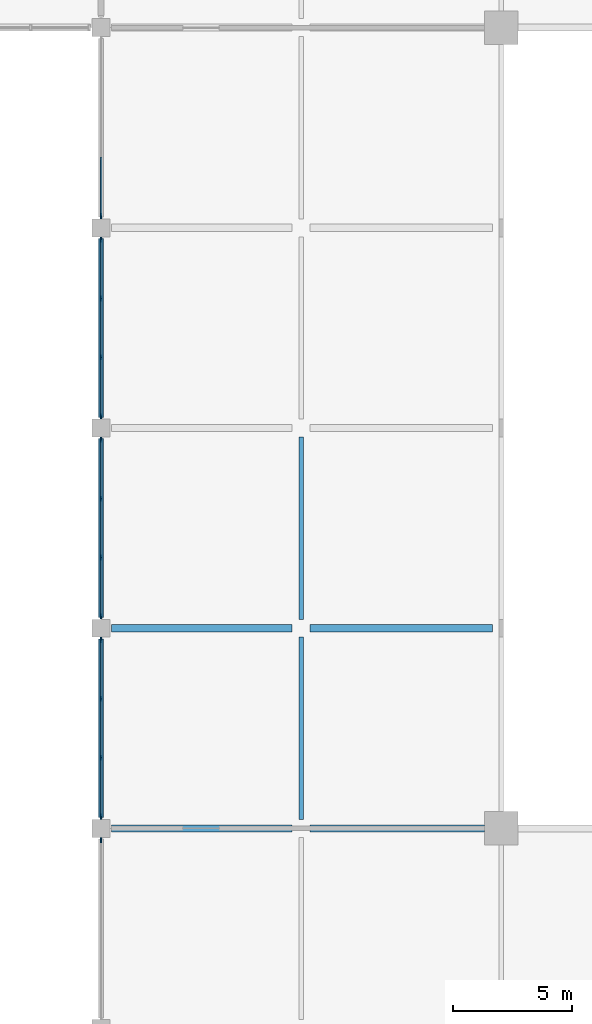
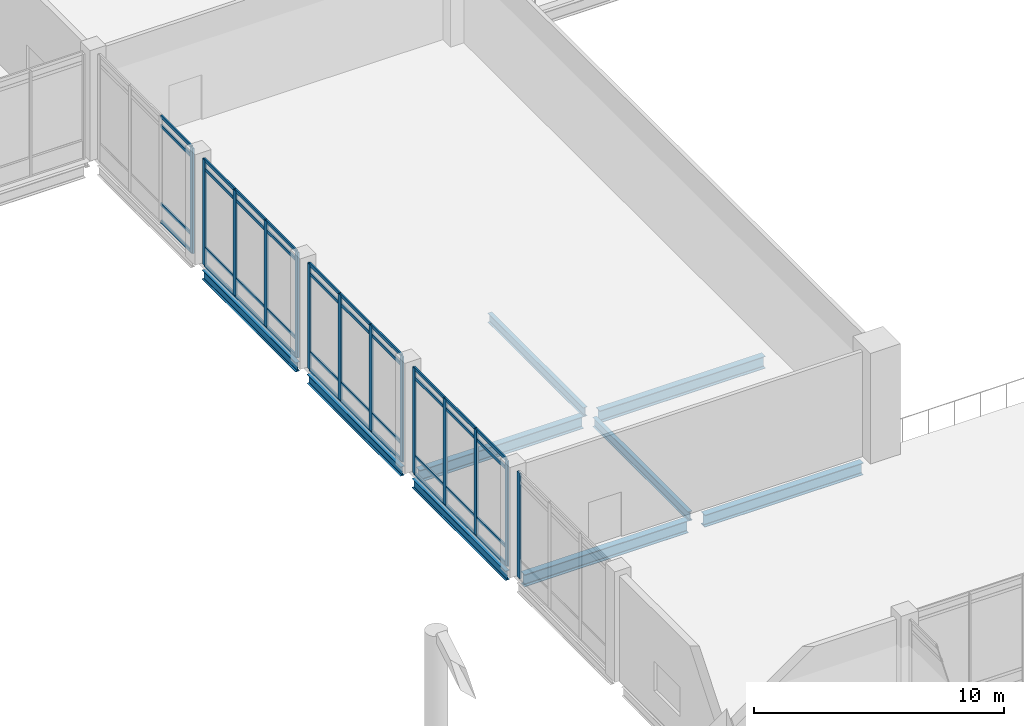
# One storey, part 27 of 72: 54 members, 9 beams, 5 elements without a shape of their own.
"""IFC4 building model written with IfcOpenShell, lengths in metres."""

from ifc_helpers import new_model, si_unit, direction, frame, origin, origin_2d, place, context, subcontext, project, spatial, rectangle, i_section, extrude, material, layer, layer_set, material_profile, profile_set, type_object, element, aggregate, save


model = new_model("IFC4")

# Units and contexts
model_context = context("Model", 3, precision=1e-05, world=origin(), true_north=direction((0.0, 1.0)))
body_context = subcontext(model_context, "Body", "Model", "MODEL_VIEW")
ifc_project = project(units=[si_unit("LENGTHUNIT", "METRE"), si_unit("AREAUNIT", "SQUARE_METRE"), si_unit("VOLUMEUNIT", "CUBIC_METRE"), si_unit("PLANEANGLEUNIT", "RADIAN"), si_unit("MASSUNIT", "GRAM", prefix="KILO")], contexts=[model_context])

# Site, building, storey
site_placement = place(None, origin())
site = spatial("IfcSite", under=ifc_project, at=site_placement, CompositionType="ELEMENT")
building_placement = place(site_placement, origin())
building = spatial("IfcBuilding", under=site, at=building_placement, Name="Qawsi Khor Wholesale Market", CompositionType="ELEMENT")
storey_placement = place(building_placement, frame((0.0, 0.0, 6.0)))
storey = spatial("IfcBuildingStorey", under=building, at=storey_placement, Name="L01", CompositionType="ELEMENT", Elevation=6.0)

# Curtain wall, member
ifc_material_1 = material(Name="Aluminium Anodised Bronze", Category="aluminium")
ifc_layer = layer(ifc_material_1, 0.199951171875, Name="Aluminium Anodised Bronze")
ifc_layer_set = layer_set([ifc_layer], Name="Aluminium Anodised Bronze")
curtain_wall_type = type_object("IfcCurtainWallType", Name="Trading Hall North-Light Curtain Wall CW-03", PredefinedType="NOTDEFINED", material=ifc_layer_set)
curtain_wall_1_placement = place(storey_placement, origin())
curtain_wall_1 = element("IfcCurtainWall", 1, at=curtain_wall_1_placement, inside=storey, type_object=curtain_wall_type, Name="Curtain wall CW-CW-03-L01-076", PredefinedType="NOTDEFINED")
ifc_material_profile_1 = material_profile(ifc_material_1, rectangle(XDim=0.074951171875, YDim=0.219970703125, at=origin_2d()), Name="ALU MULLION 75x220")
ifc_profile_set_1 = profile_set([ifc_material_profile_1], Name="Aluminium Anodised Bronze")
member_type_1 = type_object("IfcMemberType", Name="Curtain Wall Mullion CW-03 ALU MULLION 75x220", PredefinedType="MULLION", material=ifc_profile_set_1)
member_1_placement = place(storey_placement, frame((142.800048828125, 58.302490234375, -0.02001953125), z_axis=(0.0, 0.0, 1.0), x_axis=(1.0, 0.0, 0.0)))
member_1 = element("IfcMember", 2, at=member_1_placement, type_object=member_type_1, Name="Mullion CW-CW-03-L01-076-M03", PredefinedType="MULLION", context=body_context, shape_type="SweptSolid", body=[
    extrude(rectangle(XDim=0.074951171875, YDim=0.219970703125, at=origin_2d()), origin(), (0.0, 0.0, 1.0), 5.14990234375),
])
aggregate(curtain_wall_1, [member_1])

# Curtain wall, members
curtain_wall_2_placement = place(storey_placement, origin())
curtain_wall_2 = element("IfcCurtainWall", 3, at=curtain_wall_2_placement, inside=storey, type_object=curtain_wall_type, Name="Curtain wall CW-CW-03-L01-081", PredefinedType="NOTDEFINED")
member_2_placement = place(storey_placement, frame((142.800048828125, 59.297607421875, -0.02001953125), z_axis=(0.0, 0.0, 1.0), x_axis=(1.0, 0.0, 0.0)))
member_2 = element("IfcMember", 4, at=member_2_placement, type_object=member_type_1, Name="Mullion CW-CW-03-L01-081-M00", PredefinedType="MULLION", context=body_context, shape_type="SweptSolid", body=[
    extrude(rectangle(XDim=0.074951171875, YDim=0.219970703125, at=origin_2d()), origin(), (0.0, 0.0, 1.0), 5.14990234375),
])
member_3_placement = place(storey_placement, frame((142.800048828125, 61.765869140625, -0.02001953125), z_axis=(0.0, 0.0, 1.0), x_axis=(1.0, 0.0, 0.0)))
member_3 = element("IfcMember", 5, at=member_3_placement, type_object=member_type_1, Name="Mullion CW-CW-03-L01-081-M01", PredefinedType="MULLION", context=body_context, shape_type="SweptSolid", body=[
    extrude(rectangle(XDim=0.074951171875, YDim=0.219970703125, at=origin_2d()), origin(), (0.0, 0.0, 1.0), 5.14990234375),
])
member_4_placement = place(storey_placement, frame((142.800048828125, 64.234130859375, -0.02001953125), z_axis=(0.0, 0.0, 1.0), x_axis=(1.0, 0.0, 0.0)))
member_4 = element("IfcMember", 6, at=member_4_placement, type_object=member_type_1, Name="Mullion CW-CW-03-L01-081-M02", PredefinedType="MULLION", context=body_context, shape_type="SweptSolid", body=[
    extrude(rectangle(XDim=0.074951171875, YDim=0.219970703125, at=origin_2d()), origin(), (0.0, 0.0, 1.0), 5.14990234375),
])
member_5_placement = place(storey_placement, frame((142.800048828125, 66.702392578125, -0.02001953125), z_axis=(0.0, 0.0, 1.0), x_axis=(1.0, 0.0, 0.0)))
member_5 = element("IfcMember", 7, at=member_5_placement, type_object=member_type_1, Name="Mullion CW-CW-03-L01-081-M03", PredefinedType="MULLION", context=body_context, shape_type="SweptSolid", body=[
    extrude(rectangle(XDim=0.074951171875, YDim=0.219970703125, at=origin_2d()), origin(), (0.0, 0.0, 1.0), 5.14990234375),
])

curtain_wall_3_placement = place(storey_placement, origin())
curtain_wall_3 = element("IfcCurtainWall", 8, at=curtain_wall_3_placement, inside=storey, type_object=curtain_wall_type, Name="Curtain wall CW-CW-03-L01-086", PredefinedType="NOTDEFINED")
member_6_placement = place(storey_placement, frame((142.800048828125, 67.697509765625, -0.02001953125), z_axis=(0.0, 0.0, 1.0), x_axis=(1.0, 0.0, 0.0)))
member_6 = element("IfcMember", 9, at=member_6_placement, type_object=member_type_1, Name="Mullion CW-CW-03-L01-086-M00", PredefinedType="MULLION", context=body_context, shape_type="SweptSolid", body=[
    extrude(rectangle(XDim=0.074951171875, YDim=0.219970703125, at=origin_2d()), origin(), (0.0, 0.0, 1.0), 5.14990234375),
])
member_7_placement = place(storey_placement, frame((142.800048828125, 70.165771484375, -0.02001953125), z_axis=(0.0, 0.0, 1.0), x_axis=(1.0, 0.0, 0.0)))
member_7 = element("IfcMember", 10, at=member_7_placement, type_object=member_type_1, Name="Mullion CW-CW-03-L01-086-M01", PredefinedType="MULLION", context=body_context, shape_type="SweptSolid", body=[
    extrude(rectangle(XDim=0.074951171875, YDim=0.219970703125, at=origin_2d()), origin(), (0.0, 0.0, 1.0), 5.14990234375),
])
member_8_placement = place(storey_placement, frame((142.800048828125, 72.63427734375, -0.02001953125), z_axis=(0.0, 0.0, 1.0), x_axis=(1.0, 0.0, 0.0)))
member_8 = element("IfcMember", 11, at=member_8_placement, type_object=member_type_1, Name="Mullion CW-CW-03-L01-086-M02", PredefinedType="MULLION", context=body_context, shape_type="SweptSolid", body=[
    extrude(rectangle(XDim=0.074951171875, YDim=0.219970703125, at=origin_2d()), origin(), (0.0, 0.0, 1.0), 5.14990234375),
])
member_9_placement = place(storey_placement, frame((142.800048828125, 75.1025390625, -0.02001953125), z_axis=(0.0, 0.0, 1.0), x_axis=(1.0, 0.0, 0.0)))
member_9 = element("IfcMember", 12, at=member_9_placement, type_object=member_type_1, Name="Mullion CW-CW-03-L01-086-M03", PredefinedType="MULLION", context=body_context, shape_type="SweptSolid", body=[
    extrude(rectangle(XDim=0.074951171875, YDim=0.219970703125, at=origin_2d()), origin(), (0.0, 0.0, 1.0), 5.14990234375),
])

curtain_wall_4_placement = place(storey_placement, origin())
curtain_wall_4 = element("IfcCurtainWall", 13, at=curtain_wall_4_placement, inside=storey, type_object=curtain_wall_type, Name="Curtain wall CW-CW-03-L01-091", PredefinedType="NOTDEFINED")
member_10_placement = place(storey_placement, frame((142.800048828125, 76.097412109375, -0.02001953125), z_axis=(0.0, 0.0, 1.0), x_axis=(1.0, 0.0, 0.0)))
member_10 = element("IfcMember", 14, at=member_10_placement, type_object=member_type_1, Name="Mullion CW-CW-03-L01-091-M00", PredefinedType="MULLION", context=body_context, shape_type="SweptSolid", body=[
    extrude(rectangle(XDim=0.074951171875, YDim=0.219970703125, at=origin_2d()), origin(), (0.0, 0.0, 1.0), 5.14990234375),
])
member_11_placement = place(storey_placement, frame((142.800048828125, 78.56591796875, -0.02001953125), z_axis=(0.0, 0.0, 1.0), x_axis=(1.0, 0.0, 0.0)))
member_11 = element("IfcMember", 15, at=member_11_placement, type_object=member_type_1, Name="Mullion CW-CW-03-L01-091-M01", PredefinedType="MULLION", context=body_context, shape_type="SweptSolid", body=[
    extrude(rectangle(XDim=0.074951171875, YDim=0.219970703125, at=origin_2d()), origin(), (0.0, 0.0, 1.0), 5.14990234375),
])
member_12_placement = place(storey_placement, frame((142.800048828125, 81.0341796875, -0.02001953125), z_axis=(0.0, 0.0, 1.0), x_axis=(1.0, 0.0, 0.0)))
member_12 = element("IfcMember", 16, at=member_12_placement, type_object=member_type_1, Name="Mullion CW-CW-03-L01-091-M02", PredefinedType="MULLION", context=body_context, shape_type="SweptSolid", body=[
    extrude(rectangle(XDim=0.074951171875, YDim=0.219970703125, at=origin_2d()), origin(), (0.0, 0.0, 1.0), 5.14990234375),
])
member_13_placement = place(storey_placement, frame((142.800048828125, 83.50244140625, -0.02001953125), z_axis=(0.0, 0.0, 1.0), x_axis=(1.0, 0.0, 0.0)))
member_13 = element("IfcMember", 17, at=member_13_placement, type_object=member_type_1, Name="Mullion CW-CW-03-L01-091-M03", PredefinedType="MULLION", context=body_context, shape_type="SweptSolid", body=[
    extrude(rectangle(XDim=0.074951171875, YDim=0.219970703125, at=origin_2d()), origin(), (0.0, 0.0, 1.0), 5.14990234375),
])

# Curtain wall, member
curtain_wall_5_placement = place(storey_placement, origin())
curtain_wall_5 = element("IfcCurtainWall", 18, at=curtain_wall_5_placement, inside=storey, type_object=curtain_wall_type, Name="Curtain wall CW-CW-03-L01-096", PredefinedType="NOTDEFINED")
member_14_placement = place(storey_placement, frame((142.800048828125, 84.49755859375, -0.02001953125), z_axis=(0.0, 0.0, 1.0), x_axis=(1.0, 0.0, 0.0)))
member_14 = element("IfcMember", 19, at=member_14_placement, type_object=member_type_1, Name="Mullion CW-CW-03-L01-096-M00", PredefinedType="MULLION", context=body_context, shape_type="SweptSolid", body=[
    extrude(rectangle(XDim=0.074951171875, YDim=0.219970703125, at=origin_2d()), origin(), (0.0, 0.0, 1.0), 5.14990234375),
])

# Member
ifc_material_profile_2 = material_profile(ifc_material_1, rectangle(XDim=0.070068359375, YDim=0.14990234375, at=origin_2d()), Name="ALU TRANSOM 70x150")
ifc_profile_set_2 = profile_set([ifc_material_profile_2], Name="Aluminium Anodised Bronze")
member_type_2 = type_object("IfcMemberType", Name="Curtain Wall Transom CW-03 ALU TRANSOM 70x150", PredefinedType="USERDEFINED", material=ifc_profile_set_2)
member_15_placement = place(storey_placement, frame((142.800048828125, 59.297607421875, 0.0), z_axis=(0.0, 1.0, 0.0), x_axis=(-1.0, 0.0, 0.0)))
member_15 = element("IfcMember", 20, at=member_15_placement, type_object=member_type_2, Name="Transom CW-CW-03-L01-081-T0_00", ObjectType="TRANSOM", PredefinedType="USERDEFINED", context=body_context, shape_type="SweptSolid", body=[
    extrude(rectangle(XDim=0.070068359375, YDim=0.14990234375, at=origin_2d()), origin(), (0.0, 0.0, 1.0), 2.46826171875),
])

member_16_placement = place(storey_placement, frame((142.800048828125, 61.765869140625, 0.0), z_axis=(0.0, 1.0, 0.0), x_axis=(-1.0, 0.0, 0.0)))
member_16 = element("IfcMember", 21, at=member_16_placement, type_object=member_type_2, Name="Transom CW-CW-03-L01-081-T0_01", ObjectType="TRANSOM", PredefinedType="USERDEFINED", context=body_context, shape_type="SweptSolid", body=[
    extrude(rectangle(XDim=0.070068359375, YDim=0.14990234375, at=origin_2d()), origin(), (0.0, 0.0, 1.0), 2.46826171875),
])

member_17_placement = place(storey_placement, frame((142.800048828125, 64.234130859375, 0.0), z_axis=(0.0, 1.0, 0.0), x_axis=(-1.0, 0.0, 0.0)))
member_17 = element("IfcMember", 22, at=member_17_placement, type_object=member_type_2, Name="Transom CW-CW-03-L01-081-T0_02", ObjectType="TRANSOM", PredefinedType="USERDEFINED", context=body_context, shape_type="SweptSolid", body=[
    extrude(rectangle(XDim=0.070068359375, YDim=0.14990234375, at=origin_2d()), origin(), (0.0, 0.0, 1.0), 2.46826171875),
])

member_18_placement = place(storey_placement, frame((142.800048828125, 59.297607421875, 0.85009765625), z_axis=(0.0, 1.0, 0.0), x_axis=(-1.0, 0.0, 0.0)))
member_18 = element("IfcMember", 23, at=member_18_placement, type_object=member_type_2, Name="Transom CW-CW-03-L01-081-T1_00", ObjectType="TRANSOM", PredefinedType="USERDEFINED", context=body_context, shape_type="SweptSolid", body=[
    extrude(rectangle(XDim=0.070068359375, YDim=0.14990234375, at=origin_2d()), origin(), (0.0, 0.0, 1.0), 2.46826171875),
])

member_19_placement = place(storey_placement, frame((142.800048828125, 61.765869140625, 0.85009765625), z_axis=(0.0, 1.0, 0.0), x_axis=(-1.0, 0.0, 0.0)))
member_19 = element("IfcMember", 24, at=member_19_placement, type_object=member_type_2, Name="Transom CW-CW-03-L01-081-T1_01", ObjectType="TRANSOM", PredefinedType="USERDEFINED", context=body_context, shape_type="SweptSolid", body=[
    extrude(rectangle(XDim=0.070068359375, YDim=0.14990234375, at=origin_2d()), origin(), (0.0, 0.0, 1.0), 2.46826171875),
])

member_20_placement = place(storey_placement, frame((142.800048828125, 64.234130859375, 0.85009765625), z_axis=(0.0, 1.0, 0.0), x_axis=(-1.0, 0.0, 0.0)))
member_20 = element("IfcMember", 25, at=member_20_placement, type_object=member_type_2, Name="Transom CW-CW-03-L01-081-T1_02", ObjectType="TRANSOM", PredefinedType="USERDEFINED", context=body_context, shape_type="SweptSolid", body=[
    extrude(rectangle(XDim=0.070068359375, YDim=0.14990234375, at=origin_2d()), origin(), (0.0, 0.0, 1.0), 2.46826171875),
])

member_21_placement = place(storey_placement, frame((142.800048828125, 59.297607421875, 4.679931640625), z_axis=(0.0, 1.0, 0.0), x_axis=(-1.0, 0.0, 0.0)))
member_21 = element("IfcMember", 26, at=member_21_placement, type_object=member_type_2, Name="Transom CW-CW-03-L01-081-T2_00", ObjectType="TRANSOM", PredefinedType="USERDEFINED", context=body_context, shape_type="SweptSolid", body=[
    extrude(rectangle(XDim=0.070068359375, YDim=0.14990234375, at=origin_2d()), origin(), (0.0, 0.0, 1.0), 2.46826171875),
])

member_22_placement = place(storey_placement, frame((142.800048828125, 61.765869140625, 4.679931640625), z_axis=(0.0, 1.0, 0.0), x_axis=(-1.0, 0.0, 0.0)))
member_22 = element("IfcMember", 27, at=member_22_placement, type_object=member_type_2, Name="Transom CW-CW-03-L01-081-T2_01", ObjectType="TRANSOM", PredefinedType="USERDEFINED", context=body_context, shape_type="SweptSolid", body=[
    extrude(rectangle(XDim=0.070068359375, YDim=0.14990234375, at=origin_2d()), origin(), (0.0, 0.0, 1.0), 2.46826171875),
])

member_23_placement = place(storey_placement, frame((142.800048828125, 64.234130859375, 4.679931640625), z_axis=(0.0, 1.0, 0.0), x_axis=(-1.0, 0.0, 0.0)))
member_23 = element("IfcMember", 28, at=member_23_placement, type_object=member_type_2, Name="Transom CW-CW-03-L01-081-T2_02", ObjectType="TRANSOM", PredefinedType="USERDEFINED", context=body_context, shape_type="SweptSolid", body=[
    extrude(rectangle(XDim=0.070068359375, YDim=0.14990234375, at=origin_2d()), origin(), (0.0, 0.0, 1.0), 2.46826171875),
])

member_24_placement = place(storey_placement, frame((142.800048828125, 59.297607421875, 5.1298828125), z_axis=(0.0, 1.0, 0.0), x_axis=(-1.0, 0.0, 0.0)))
member_24 = element("IfcMember", 29, at=member_24_placement, type_object=member_type_2, Name="Transom CW-CW-03-L01-081-T3_00", ObjectType="TRANSOM", PredefinedType="USERDEFINED", context=body_context, shape_type="SweptSolid", body=[
    extrude(rectangle(XDim=0.070068359375, YDim=0.14990234375, at=origin_2d()), origin(), (0.0, 0.0, 1.0), 2.46826171875),
])

member_25_placement = place(storey_placement, frame((142.800048828125, 61.765869140625, 5.1298828125), z_axis=(0.0, 1.0, 0.0), x_axis=(-1.0, 0.0, 0.0)))
member_25 = element("IfcMember", 30, at=member_25_placement, type_object=member_type_2, Name="Transom CW-CW-03-L01-081-T3_01", ObjectType="TRANSOM", PredefinedType="USERDEFINED", context=body_context, shape_type="SweptSolid", body=[
    extrude(rectangle(XDim=0.070068359375, YDim=0.14990234375, at=origin_2d()), origin(), (0.0, 0.0, 1.0), 2.46826171875),
])

member_26_placement = place(storey_placement, frame((142.800048828125, 64.234130859375, 5.1298828125), z_axis=(0.0, 1.0, 0.0), x_axis=(-1.0, 0.0, 0.0)))
member_26 = element("IfcMember", 31, at=member_26_placement, type_object=member_type_2, Name="Transom CW-CW-03-L01-081-T3_02", ObjectType="TRANSOM", PredefinedType="USERDEFINED", context=body_context, shape_type="SweptSolid", body=[
    extrude(rectangle(XDim=0.070068359375, YDim=0.14990234375, at=origin_2d()), origin(), (0.0, 0.0, 1.0), 2.46826171875),
])

aggregate(curtain_wall_2, [member_2, member_3, member_4, member_5, member_15, member_16, member_17, member_18, member_19, member_20, member_21, member_22, member_23, member_24, member_25, member_26])

member_27_placement = place(storey_placement, frame((142.800048828125, 67.697509765625, 0.0), z_axis=(0.0, 1.0, 0.0), x_axis=(-1.0, 0.0, 0.0)))
member_27 = element("IfcMember", 32, at=member_27_placement, type_object=member_type_2, Name="Transom CW-CW-03-L01-086-T0_00", ObjectType="TRANSOM", PredefinedType="USERDEFINED", context=body_context, shape_type="SweptSolid", body=[
    extrude(rectangle(XDim=0.070068359375, YDim=0.14990234375, at=origin_2d()), origin(), (0.0, 0.0, 1.0), 2.46826171875),
])

member_28_placement = place(storey_placement, frame((142.800048828125, 70.165771484375, 0.0), z_axis=(0.0, 1.0, 0.0), x_axis=(-1.0, 0.0, 0.0)))
member_28 = element("IfcMember", 33, at=member_28_placement, type_object=member_type_2, Name="Transom CW-CW-03-L01-086-T0_01", ObjectType="TRANSOM", PredefinedType="USERDEFINED", context=body_context, shape_type="SweptSolid", body=[
    extrude(rectangle(XDim=0.070068359375, YDim=0.14990234375, at=origin_2d()), origin(), (0.0, 0.0, 1.0), 2.468505859375),
])

member_29_placement = place(storey_placement, frame((142.800048828125, 72.63427734375, 0.0), z_axis=(0.0, 1.0, 0.0), x_axis=(-1.0, 0.0, 0.0)))
member_29 = element("IfcMember", 34, at=member_29_placement, type_object=member_type_2, Name="Transom CW-CW-03-L01-086-T0_02", ObjectType="TRANSOM", PredefinedType="USERDEFINED", context=body_context, shape_type="SweptSolid", body=[
    extrude(rectangle(XDim=0.070068359375, YDim=0.14990234375, at=origin_2d()), origin(), (0.0, 0.0, 1.0), 2.46826171875),
])

member_30_placement = place(storey_placement, frame((142.800048828125, 67.697509765625, 0.85009765625), z_axis=(0.0, 1.0, 0.0), x_axis=(-1.0, 0.0, 0.0)))
member_30 = element("IfcMember", 35, at=member_30_placement, type_object=member_type_2, Name="Transom CW-CW-03-L01-086-T1_00", ObjectType="TRANSOM", PredefinedType="USERDEFINED", context=body_context, shape_type="SweptSolid", body=[
    extrude(rectangle(XDim=0.070068359375, YDim=0.14990234375, at=origin_2d()), origin(), (0.0, 0.0, 1.0), 2.46826171875),
])

member_31_placement = place(storey_placement, frame((142.800048828125, 70.165771484375, 0.85009765625), z_axis=(0.0, 1.0, 0.0), x_axis=(-1.0, 0.0, 0.0)))
member_31 = element("IfcMember", 36, at=member_31_placement, type_object=member_type_2, Name="Transom CW-CW-03-L01-086-T1_01", ObjectType="TRANSOM", PredefinedType="USERDEFINED", context=body_context, shape_type="SweptSolid", body=[
    extrude(rectangle(XDim=0.070068359375, YDim=0.14990234375, at=origin_2d()), origin(), (0.0, 0.0, 1.0), 2.468505859375),
])

member_32_placement = place(storey_placement, frame((142.800048828125, 72.63427734375, 0.85009765625), z_axis=(0.0, 1.0, 0.0), x_axis=(-1.0, 0.0, 0.0)))
member_32 = element("IfcMember", 37, at=member_32_placement, type_object=member_type_2, Name="Transom CW-CW-03-L01-086-T1_02", ObjectType="TRANSOM", PredefinedType="USERDEFINED", context=body_context, shape_type="SweptSolid", body=[
    extrude(rectangle(XDim=0.070068359375, YDim=0.14990234375, at=origin_2d()), origin(), (0.0, 0.0, 1.0), 2.46826171875),
])

member_33_placement = place(storey_placement, frame((142.800048828125, 67.697509765625, 4.679931640625), z_axis=(0.0, 1.0, 0.0), x_axis=(-1.0, 0.0, 0.0)))
member_33 = element("IfcMember", 38, at=member_33_placement, type_object=member_type_2, Name="Transom CW-CW-03-L01-086-T2_00", ObjectType="TRANSOM", PredefinedType="USERDEFINED", context=body_context, shape_type="SweptSolid", body=[
    extrude(rectangle(XDim=0.070068359375, YDim=0.14990234375, at=origin_2d()), origin(), (0.0, 0.0, 1.0), 2.46826171875),
])

member_34_placement = place(storey_placement, frame((142.800048828125, 70.165771484375, 4.679931640625), z_axis=(0.0, 1.0, 0.0), x_axis=(-1.0, 0.0, 0.0)))
member_34 = element("IfcMember", 39, at=member_34_placement, type_object=member_type_2, Name="Transom CW-CW-03-L01-086-T2_01", ObjectType="TRANSOM", PredefinedType="USERDEFINED", context=body_context, shape_type="SweptSolid", body=[
    extrude(rectangle(XDim=0.070068359375, YDim=0.14990234375, at=origin_2d()), origin(), (0.0, 0.0, 1.0), 2.468505859375),
])

member_35_placement = place(storey_placement, frame((142.800048828125, 72.63427734375, 4.679931640625), z_axis=(0.0, 1.0, 0.0), x_axis=(-1.0, 0.0, 0.0)))
member_35 = element("IfcMember", 40, at=member_35_placement, type_object=member_type_2, Name="Transom CW-CW-03-L01-086-T2_02", ObjectType="TRANSOM", PredefinedType="USERDEFINED", context=body_context, shape_type="SweptSolid", body=[
    extrude(rectangle(XDim=0.070068359375, YDim=0.14990234375, at=origin_2d()), origin(), (0.0, 0.0, 1.0), 2.46826171875),
])

member_36_placement = place(storey_placement, frame((142.800048828125, 67.697509765625, 5.1298828125), z_axis=(0.0, 1.0, 0.0), x_axis=(-1.0, 0.0, 0.0)))
member_36 = element("IfcMember", 41, at=member_36_placement, type_object=member_type_2, Name="Transom CW-CW-03-L01-086-T3_00", ObjectType="TRANSOM", PredefinedType="USERDEFINED", context=body_context, shape_type="SweptSolid", body=[
    extrude(rectangle(XDim=0.070068359375, YDim=0.14990234375, at=origin_2d()), origin(), (0.0, 0.0, 1.0), 2.46826171875),
])

member_37_placement = place(storey_placement, frame((142.800048828125, 70.165771484375, 5.1298828125), z_axis=(0.0, 1.0, 0.0), x_axis=(-1.0, 0.0, 0.0)))
member_37 = element("IfcMember", 42, at=member_37_placement, type_object=member_type_2, Name="Transom CW-CW-03-L01-086-T3_01", ObjectType="TRANSOM", PredefinedType="USERDEFINED", context=body_context, shape_type="SweptSolid", body=[
    extrude(rectangle(XDim=0.070068359375, YDim=0.14990234375, at=origin_2d()), origin(), (0.0, 0.0, 1.0), 2.468505859375),
])

member_38_placement = place(storey_placement, frame((142.800048828125, 72.63427734375, 5.1298828125), z_axis=(0.0, 1.0, 0.0), x_axis=(-1.0, 0.0, 0.0)))
member_38 = element("IfcMember", 43, at=member_38_placement, type_object=member_type_2, Name="Transom CW-CW-03-L01-086-T3_02", ObjectType="TRANSOM", PredefinedType="USERDEFINED", context=body_context, shape_type="SweptSolid", body=[
    extrude(rectangle(XDim=0.070068359375, YDim=0.14990234375, at=origin_2d()), origin(), (0.0, 0.0, 1.0), 2.46826171875),
])

aggregate(curtain_wall_3, [member_6, member_7, member_8, member_9, member_27, member_28, member_29, member_30, member_31, member_32, member_33, member_34, member_35, member_36, member_37, member_38])

member_39_placement = place(storey_placement, frame((142.800048828125, 76.097412109375, 0.0), z_axis=(0.0, 1.0, 0.0), x_axis=(-1.0, 0.0, 0.0)))
member_39 = element("IfcMember", 44, at=member_39_placement, type_object=member_type_2, Name="Transom CW-CW-03-L01-091-T0_00", ObjectType="TRANSOM", PredefinedType="USERDEFINED", context=body_context, shape_type="SweptSolid", body=[
    extrude(rectangle(XDim=0.070068359375, YDim=0.14990234375, at=origin_2d()), origin(), (0.0, 0.0, 1.0), 2.468505859375),
])

member_40_placement = place(storey_placement, frame((142.800048828125, 78.56591796875, 0.0), z_axis=(0.0, 1.0, 0.0), x_axis=(-1.0, 0.0, 0.0)))
member_40 = element("IfcMember", 45, at=member_40_placement, type_object=member_type_2, Name="Transom CW-CW-03-L01-091-T0_01", ObjectType="TRANSOM", PredefinedType="USERDEFINED", context=body_context, shape_type="SweptSolid", body=[
    extrude(rectangle(XDim=0.070068359375, YDim=0.14990234375, at=origin_2d()), origin(), (0.0, 0.0, 1.0), 2.46826171875),
])

member_41_placement = place(storey_placement, frame((142.800048828125, 81.0341796875, 0.0), z_axis=(0.0, 1.0, 0.0), x_axis=(-1.0, 0.0, 0.0)))
member_41 = element("IfcMember", 46, at=member_41_placement, type_object=member_type_2, Name="Transom CW-CW-03-L01-091-T0_02", ObjectType="TRANSOM", PredefinedType="USERDEFINED", context=body_context, shape_type="SweptSolid", body=[
    extrude(rectangle(XDim=0.070068359375, YDim=0.14990234375, at=origin_2d()), origin(), (0.0, 0.0, 1.0), 2.46826171875),
])

member_42_placement = place(storey_placement, frame((142.800048828125, 76.097412109375, 0.85009765625), z_axis=(0.0, 1.0, 0.0), x_axis=(-1.0, 0.0, 0.0)))
member_42 = element("IfcMember", 47, at=member_42_placement, type_object=member_type_2, Name="Transom CW-CW-03-L01-091-T1_00", ObjectType="TRANSOM", PredefinedType="USERDEFINED", context=body_context, shape_type="SweptSolid", body=[
    extrude(rectangle(XDim=0.070068359375, YDim=0.14990234375, at=origin_2d()), origin(), (0.0, 0.0, 1.0), 2.468505859375),
])

member_43_placement = place(storey_placement, frame((142.800048828125, 78.56591796875, 0.85009765625), z_axis=(0.0, 1.0, 0.0), x_axis=(-1.0, 0.0, 0.0)))
member_43 = element("IfcMember", 48, at=member_43_placement, type_object=member_type_2, Name="Transom CW-CW-03-L01-091-T1_01", ObjectType="TRANSOM", PredefinedType="USERDEFINED", context=body_context, shape_type="SweptSolid", body=[
    extrude(rectangle(XDim=0.070068359375, YDim=0.14990234375, at=origin_2d()), origin(), (0.0, 0.0, 1.0), 2.46826171875),
])

member_44_placement = place(storey_placement, frame((142.800048828125, 81.0341796875, 0.85009765625), z_axis=(0.0, 1.0, 0.0), x_axis=(-1.0, 0.0, 0.0)))
member_44 = element("IfcMember", 49, at=member_44_placement, type_object=member_type_2, Name="Transom CW-CW-03-L01-091-T1_02", ObjectType="TRANSOM", PredefinedType="USERDEFINED", context=body_context, shape_type="SweptSolid", body=[
    extrude(rectangle(XDim=0.070068359375, YDim=0.14990234375, at=origin_2d()), origin(), (0.0, 0.0, 1.0), 2.46826171875),
])

member_45_placement = place(storey_placement, frame((142.800048828125, 76.097412109375, 4.679931640625), z_axis=(0.0, 1.0, 0.0), x_axis=(-1.0, 0.0, 0.0)))
member_45 = element("IfcMember", 50, at=member_45_placement, type_object=member_type_2, Name="Transom CW-CW-03-L01-091-T2_00", ObjectType="TRANSOM", PredefinedType="USERDEFINED", context=body_context, shape_type="SweptSolid", body=[
    extrude(rectangle(XDim=0.070068359375, YDim=0.14990234375, at=origin_2d()), origin(), (0.0, 0.0, 1.0), 2.468505859375),
])

member_46_placement = place(storey_placement, frame((142.800048828125, 78.56591796875, 4.679931640625), z_axis=(0.0, 1.0, 0.0), x_axis=(-1.0, 0.0, 0.0)))
member_46 = element("IfcMember", 51, at=member_46_placement, type_object=member_type_2, Name="Transom CW-CW-03-L01-091-T2_01", ObjectType="TRANSOM", PredefinedType="USERDEFINED", context=body_context, shape_type="SweptSolid", body=[
    extrude(rectangle(XDim=0.070068359375, YDim=0.14990234375, at=origin_2d()), origin(), (0.0, 0.0, 1.0), 2.46826171875),
])

member_47_placement = place(storey_placement, frame((142.800048828125, 81.0341796875, 4.679931640625), z_axis=(0.0, 1.0, 0.0), x_axis=(-1.0, 0.0, 0.0)))
member_47 = element("IfcMember", 52, at=member_47_placement, type_object=member_type_2, Name="Transom CW-CW-03-L01-091-T2_02", ObjectType="TRANSOM", PredefinedType="USERDEFINED", context=body_context, shape_type="SweptSolid", body=[
    extrude(rectangle(XDim=0.070068359375, YDim=0.14990234375, at=origin_2d()), origin(), (0.0, 0.0, 1.0), 2.46826171875),
])

member_48_placement = place(storey_placement, frame((142.800048828125, 76.097412109375, 5.1298828125), z_axis=(0.0, 1.0, 0.0), x_axis=(-1.0, 0.0, 0.0)))
member_48 = element("IfcMember", 53, at=member_48_placement, type_object=member_type_2, Name="Transom CW-CW-03-L01-091-T3_00", ObjectType="TRANSOM", PredefinedType="USERDEFINED", context=body_context, shape_type="SweptSolid", body=[
    extrude(rectangle(XDim=0.070068359375, YDim=0.14990234375, at=origin_2d()), origin(), (0.0, 0.0, 1.0), 2.468505859375),
])

member_49_placement = place(storey_placement, frame((142.800048828125, 78.56591796875, 5.1298828125), z_axis=(0.0, 1.0, 0.0), x_axis=(-1.0, 0.0, 0.0)))
member_49 = element("IfcMember", 54, at=member_49_placement, type_object=member_type_2, Name="Transom CW-CW-03-L01-091-T3_01", ObjectType="TRANSOM", PredefinedType="USERDEFINED", context=body_context, shape_type="SweptSolid", body=[
    extrude(rectangle(XDim=0.070068359375, YDim=0.14990234375, at=origin_2d()), origin(), (0.0, 0.0, 1.0), 2.46826171875),
])

member_50_placement = place(storey_placement, frame((142.800048828125, 81.0341796875, 5.1298828125), z_axis=(0.0, 1.0, 0.0), x_axis=(-1.0, 0.0, 0.0)))
member_50 = element("IfcMember", 55, at=member_50_placement, type_object=member_type_2, Name="Transom CW-CW-03-L01-091-T3_02", ObjectType="TRANSOM", PredefinedType="USERDEFINED", context=body_context, shape_type="SweptSolid", body=[
    extrude(rectangle(XDim=0.070068359375, YDim=0.14990234375, at=origin_2d()), origin(), (0.0, 0.0, 1.0), 2.46826171875),
])

aggregate(curtain_wall_4, [member_10, member_11, member_12, member_13, member_39, member_40, member_41, member_42, member_43, member_44, member_45, member_46, member_47, member_48, member_49, member_50])

member_51_placement = place(storey_placement, frame((142.800048828125, 84.49755859375, 0.0), z_axis=(0.0, 1.0, 0.0), x_axis=(-1.0, 0.0, 0.0)))
member_51 = element("IfcMember", 56, at=member_51_placement, type_object=member_type_2, Name="Transom CW-CW-03-L01-096-T0_00", ObjectType="TRANSOM", PredefinedType="USERDEFINED", context=body_context, shape_type="SweptSolid", body=[
    extrude(rectangle(XDim=0.070068359375, YDim=0.14990234375, at=origin_2d()), origin(), (0.0, 0.0, 1.0), 2.46826171875),
])

member_52_placement = place(storey_placement, frame((142.800048828125, 84.49755859375, 0.85009765625), z_axis=(0.0, 1.0, 0.0), x_axis=(-1.0, 0.0, 0.0)))
member_52 = element("IfcMember", 57, at=member_52_placement, type_object=member_type_2, Name="Transom CW-CW-03-L01-096-T1_00", ObjectType="TRANSOM", PredefinedType="USERDEFINED", context=body_context, shape_type="SweptSolid", body=[
    extrude(rectangle(XDim=0.070068359375, YDim=0.14990234375, at=origin_2d()), origin(), (0.0, 0.0, 1.0), 2.46826171875),
])

member_53_placement = place(storey_placement, frame((142.800048828125, 84.49755859375, 4.679931640625), z_axis=(0.0, 1.0, 0.0), x_axis=(-1.0, 0.0, 0.0)))
member_53 = element("IfcMember", 58, at=member_53_placement, type_object=member_type_2, Name="Transom CW-CW-03-L01-096-T2_00", ObjectType="TRANSOM", PredefinedType="USERDEFINED", context=body_context, shape_type="SweptSolid", body=[
    extrude(rectangle(XDim=0.070068359375, YDim=0.14990234375, at=origin_2d()), origin(), (0.0, 0.0, 1.0), 2.46826171875),
])

member_54_placement = place(storey_placement, frame((142.800048828125, 84.49755859375, 5.1298828125), z_axis=(0.0, 1.0, 0.0), x_axis=(-1.0, 0.0, 0.0)))
member_54 = element("IfcMember", 59, at=member_54_placement, type_object=member_type_2, Name="Transom CW-CW-03-L01-096-T3_00", ObjectType="TRANSOM", PredefinedType="USERDEFINED", context=body_context, shape_type="SweptSolid", body=[
    extrude(rectangle(XDim=0.070068359375, YDim=0.14990234375, at=origin_2d()), origin(), (0.0, 0.0, 1.0), 2.46826171875),
])

aggregate(curtain_wall_5, [member_14, member_51, member_52, member_53, member_54])

# Beams
ifc_material_2 = material(Name="Steel S355", Category="steel")
ifc_material_profile_3 = material_profile(ifc_material_2, i_section(OverallWidth=0.300048828125, OverallDepth=0.590087890625, WebThickness=0.012939453125, FlangeThickness=0.02490234375, FilletRadius=0.027099609375, at=origin_2d()), Name="HEA 600")
ifc_profile_set_3 = profile_set([ifc_material_profile_3], Name="Steel S355")
beam_type_1 = type_object("IfcBeamType", Name="Primary Girder HEA 600", PredefinedType="BEAM", material=ifc_profile_set_3)
for number, where, z_axis, x_axis, name in (
    (60, (143.25, 58.800048828125, -0.56494140625), (1.0, 0.0, 0.0), (0.0, 1.0, 0.0), "BM-X-L01-17_+07"),
    (61, (143.25, 67.199951171875, -0.56494140625), (1.0, 0.0, 0.0), (0.0, 1.0, 0.0), "BM-X-L01-17_+08"),
):
    element("IfcBeam", number, at=place(storey_placement, frame(where, z_axis=z_axis, x_axis=x_axis)), inside=storey, type_object=beam_type_1, Name=name, PredefinedType="BEAM", context=body_context, shape_type="SweptSolid", body=[
        extrude(i_section(OverallWidth=0.300048828125, OverallDepth=0.590087890625, WebThickness=0.012939453125, FlangeThickness=0.02490234375, FilletRadius=0.027099609375, at=origin_2d()), origin(), (0.0, 0.0, 1.0), 7.574951171875),
    ])
beam_1_placement = place(storey_placement, frame((151.574951171875, 58.800048828125, -0.56494140625), z_axis=(1.0, 0.0, 0.0), x_axis=(0.0, 1.0, 0.0)))
element("IfcBeam", 62, at=beam_1_placement, inside=storey, type_object=beam_type_1, Name="BM-X-L01-18_+07", PredefinedType="BEAM", context=body_context, shape_type="SweptSolid", body=[
    extrude(i_section(OverallWidth=0.300048828125, OverallDepth=0.590087890625, WebThickness=0.012939453125, FlangeThickness=0.02490234375, FilletRadius=0.027099609375, at=origin_2d()), origin(), (0.0, 0.0, 1.0), 7.324951171875),
])
beam_2_placement = place(storey_placement, frame((151.574951171875, 67.199951171875, -0.56494140625), z_axis=(1.0, 0.0, 0.0), x_axis=(0.0, 1.0, 0.0)))
element("IfcBeam", 63, at=beam_2_placement, inside=storey, type_object=beam_type_1, Name="BM-X-L01-18_+08", PredefinedType="BEAM", context=body_context, shape_type="SweptSolid", body=[
    extrude(i_section(OverallWidth=0.300048828125, OverallDepth=0.590087890625, WebThickness=0.012939453125, FlangeThickness=0.02490234375, FilletRadius=0.027099609375, at=origin_2d()), origin(), (0.0, 0.0, 1.0), 7.650146484375),
])
ifc_material_profile_4 = material_profile(ifc_material_2, i_section(OverallWidth=0.18994140625, OverallDepth=0.449951171875, WebThickness=0.009521484375, FlangeThickness=0.0146484375, FilletRadius=0.02099609375, at=origin_2d()), Name="IPE 450")
ifc_profile_set_4 = profile_set([ifc_material_profile_4], Name="Steel S355")
beam_type_2 = type_object("IfcBeamType", Name="Secondary Beam IPE 450", PredefinedType="BEAM", material=ifc_profile_set_4)
for number, where, z_axis, x_axis, name in (
    (64, (142.800048828125, 59.25, -0.4951171875), (0.0, 1.0, 0.0), (-1.0, 0.0, 0.0), "BM-Y-L01-17_+07"),
    (65, (142.800048828125, 67.64990234375, -0.4951171875), (0.0, 1.0, 0.0), (-1.0, 0.0, 0.0), "BM-Y-L01-17_+08"),
    (66, (142.800048828125, 76.050048828125, -0.4951171875), (0.0, 1.0, 0.0), (-1.0, 0.0, 0.0), "BM-Y-L01-17_+09"),
):
    element("IfcBeam", number, at=place(storey_placement, frame(where, z_axis=z_axis, x_axis=x_axis)), inside=storey, type_object=beam_type_2, Name=name, PredefinedType="BEAM", context=body_context, shape_type="SweptSolid", body=[
        extrude(i_section(OverallWidth=0.18994140625, OverallDepth=0.449951171875, WebThickness=0.009521484375, FlangeThickness=0.0146484375, FilletRadius=0.02099609375, at=origin_2d()), origin(), (0.0, 0.0, 1.0), 7.5),
    ])
beam_3_placement = place(storey_placement, frame((151.199951171875, 59.175048828125, -0.4951171875), z_axis=(0.0, 1.0, 0.0), x_axis=(-1.0, 0.0, 0.0)))
element("IfcBeam", 67, at=beam_3_placement, inside=storey, type_object=beam_type_2, Name="BM-Y-L01-18_+07", PredefinedType="BEAM", context=body_context, shape_type="SweptSolid", body=[
    extrude(i_section(OverallWidth=0.18994140625, OverallDepth=0.449951171875, WebThickness=0.009521484375, FlangeThickness=0.0146484375, FilletRadius=0.02099609375, at=origin_2d()), origin(), (0.0, 0.0, 1.0), 7.64990234375),
])
beam_4_placement = place(storey_placement, frame((151.199951171875, 67.574951171875, -0.4951171875), z_axis=(0.0, 1.0, 0.0), x_axis=(-1.0, 0.0, 0.0)))
element("IfcBeam", 68, at=beam_4_placement, inside=storey, type_object=beam_type_2, Name="BM-Y-L01-18_+08", PredefinedType="BEAM", context=body_context, shape_type="SweptSolid", body=[
    extrude(i_section(OverallWidth=0.18994140625, OverallDepth=0.449951171875, WebThickness=0.009521484375, FlangeThickness=0.0146484375, FilletRadius=0.02099609375, at=origin_2d()), origin(), (0.0, 0.0, 1.0), 7.650146484375),
])

save(model, "model.ifc")
